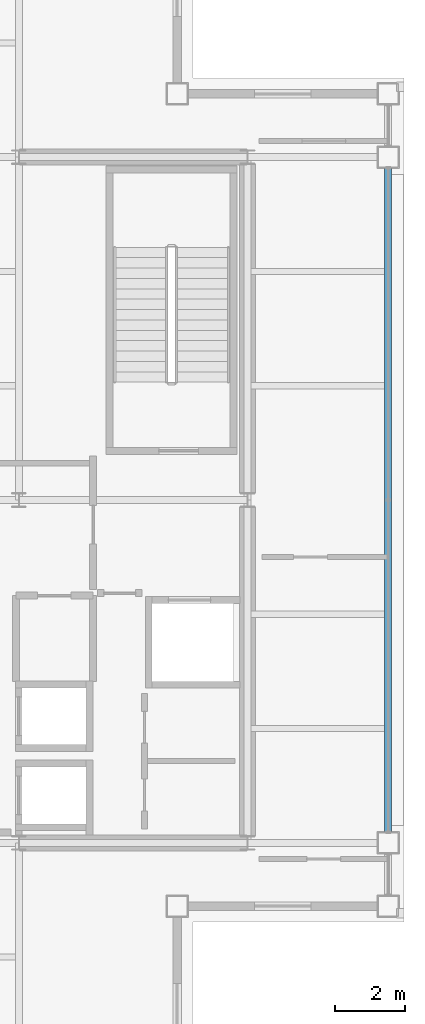
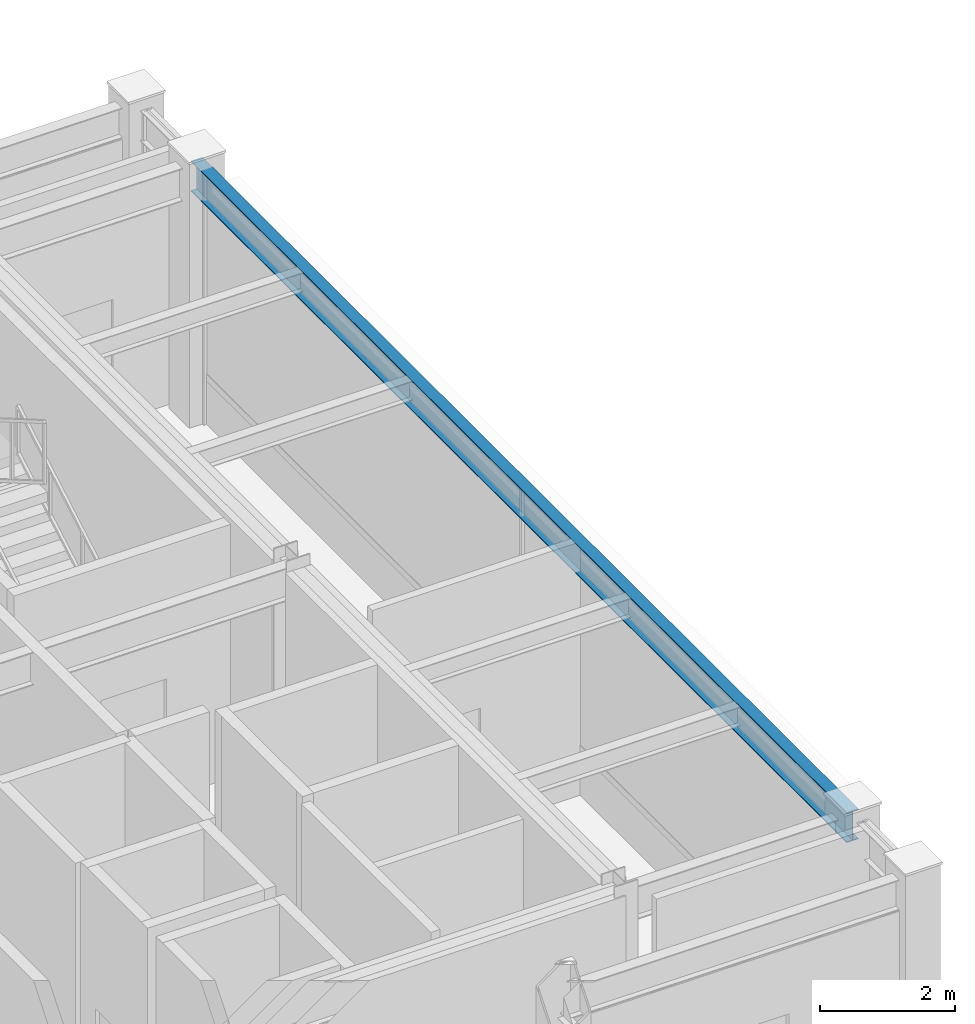
# One storey, part 11 of 21: 1 beam.
"""IFC4 building model written with IfcOpenShell, lengths in metres."""

from ifc_helpers import new_model, si_unit, direction, frame, origin, origin_2d, place, context, subcontext, project, spatial, i_section, extrude, material, material_profile, profile_set, type_object, element, save


model = new_model("IFC4")

# Units and contexts
model_context = context("Model", 3, precision=1e-05, world=origin(), true_north=direction((0.0, 1.0)))
body_context = subcontext(model_context, "Body", "Model", "MODEL_VIEW")
ifc_project = project(units=[si_unit("LENGTHUNIT", "METRE"), si_unit("AREAUNIT", "SQUARE_METRE"), si_unit("VOLUMEUNIT", "CUBIC_METRE"), si_unit("PLANEANGLEUNIT", "RADIAN"), si_unit("MASSUNIT", "GRAM", prefix="KILO")], contexts=[model_context])

# Site, building, storey
site_placement = place(None, origin())
site = spatial("IfcSite", under=ifc_project, at=site_placement, CompositionType="ELEMENT")
building_placement = place(site_placement, origin())
building = spatial("IfcBuilding", under=site, at=building_placement, Name="Brelmoor Portico Tower", CompositionType="ELEMENT")
storey_placement = place(building_placement, frame((0.0, 0.0, 284.39990234375)))
storey = spatial("IfcBuildingStorey", under=building, at=storey_placement, Name="L75", CompositionType="ELEMENT", Elevation=284.39990234375)

# Beam
ifc_material = material(Name="Steel Q355B", Category="steel")
ifc_material_profile = material_profile(ifc_material, i_section(OverallWidth=0.199951171875, OverallDepth=0.550048828125, WebThickness=0.010009765625, FlangeThickness=0.01611328125, at=origin_2d()), Name="HN 550x200x10x16")
ifc_profile_set = profile_set([ifc_material_profile], Name="Steel Q355B")
beam_type = type_object("IfcBeamType", Name="BM-SP-550", PredefinedType="SPANDREL", material=ifc_profile_set)
beam_placement = place(storey_placement, frame((18.550048828125, -9.75, 4.3251953125), z_axis=(0.0, 1.0, 0.0), x_axis=(-1.0, 0.0, 0.0)))
element("IfcBeam", 1, at=beam_placement, inside=storey, type_object=beam_type, Name="L75 Perimeter Spandrel Beam SP-19", PredefinedType="SPANDREL", context=body_context, shape_type="SweptSolid", body=[
    extrude(i_section(OverallWidth=0.199951171875, OverallDepth=0.550048828125, WebThickness=0.010009765625, FlangeThickness=0.01611328125, at=origin_2d()), origin(), (0.0, 0.0, 1.0), 19.5),
])

save(model, "model.ifc")
